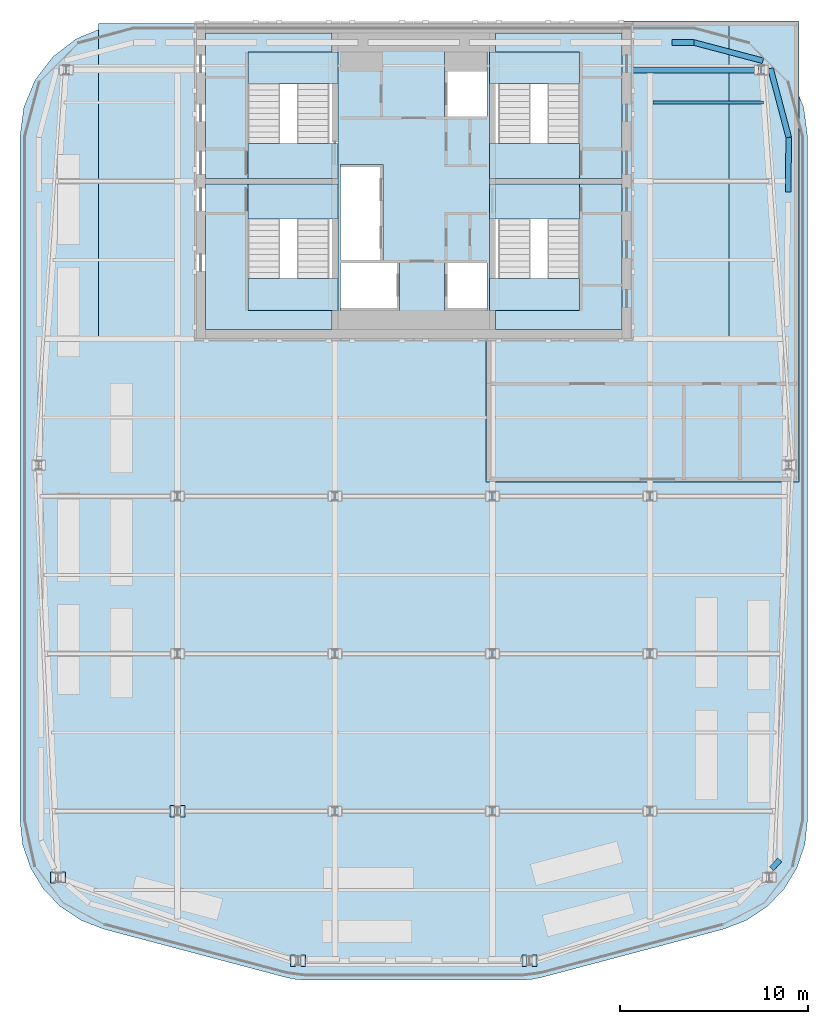
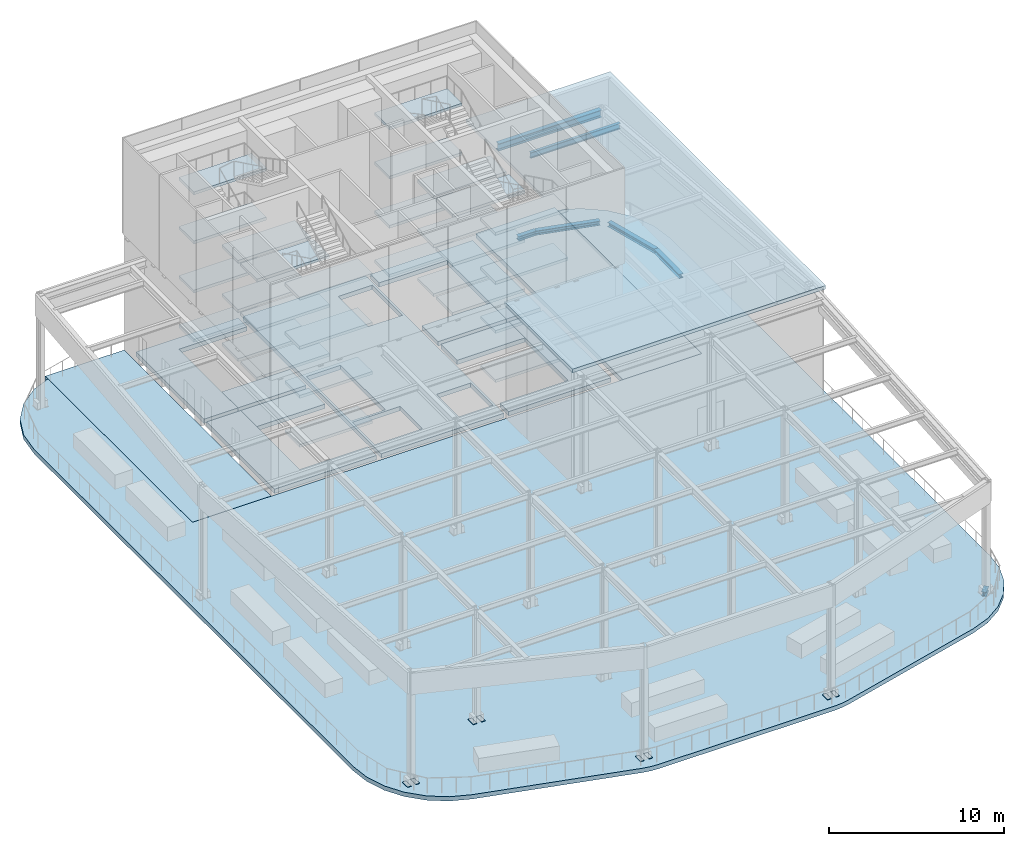
# One storey, part 5 of 14: 41 slabs, 8 plates, 7 beams, 4 elements without a shape of their own.
"""IFC4 building model written with IfcOpenShell, lengths in metres."""

from ifc_helpers import new_model, si_unit, direction, frame, origin, origin_2d, place, context, subcontext, project, spatial, polyline, rectangle, i_section, outline, extrude, material, layer, layer_set, material_profile, profile_set, type_object, element, aggregate, save


model = new_model("IFC4")

# Units and contexts
model_context = context("Model", 3, precision=1e-05, world=origin(), true_north=direction((0.0, 1.0)))
body_context = subcontext(model_context, "Body", "Model", "MODEL_VIEW")
ifc_project = project(units=[si_unit("LENGTHUNIT", "METRE"), si_unit("AREAUNIT", "SQUARE_METRE"), si_unit("VOLUMEUNIT", "CUBIC_METRE"), si_unit("PLANEANGLEUNIT", "RADIAN"), si_unit("MASSUNIT", "GRAM", prefix="KILO")], contexts=[model_context])

# Site, building, storey
site_placement = place(None, origin())
site = spatial("IfcSite", under=ifc_project, at=site_placement, CompositionType="ELEMENT")
building_placement = place(site_placement, origin())
building = spatial("IfcBuilding", under=site, at=building_placement, Name="Marenta Gate Hotel Tower", CompositionType="ELEMENT")
storey_placement = place(building_placement, frame((0.0, 0.0, 295.699951171875)))
storey = spatial("IfcBuildingStorey", under=building, at=storey_placement, Name="L67", CompositionType="ELEMENT", Elevation=295.699951171875)

# Beams
ifc_material_1 = material(Name="Steel S355J2W", Category="steel")
ifc_material_profile_1 = material_profile(ifc_material_1, i_section(OverallWidth=0.300048828125, OverallDepth=0.5, WebThickness=0.014404296875, FlangeThickness=0.028076171875, FilletRadius=0.027099609375, at=origin_2d()), Name="HEB 500")
ifc_profile_set_1 = profile_set([ifc_material_profile_1], Name="Steel S355J2W")
beam_type_1 = type_object("IfcBeamType", Name="Canopy edge beam HEB 500", PredefinedType="BEAM", material=ifc_profile_set_1)
beam_1_placement = place(storey_placement, frame((18.385498046875, 14.33544921875, 7.570068359375), z_axis=(-1.0, 0.0, 0.0), x_axis=(0.0, -1.0, 0.0)))
element("IfcBeam", 1, at=beam_1_placement, inside=storey, type_object=beam_type_1, Name="CB-HEB500 L67-CAN-B5", PredefinedType="BEAM", context=body_context, shape_type="SweptSolid", body=[
    extrude(i_section(OverallWidth=0.300048828125, OverallDepth=0.5, WebThickness=0.014404296875, FlangeThickness=0.028076171875, FilletRadius=0.027099609375, at=origin_2d()), origin(), (0.0, 0.0, 1.0), 6.785400390625),
])
ifc_material_2 = material(Name="Steel S355J2W", Category="steel")
ifc_material_profile_2 = material_profile(ifc_material_2, i_section(OverallWidth=0.179931640625, OverallDepth=0.39990234375, WebThickness=0.008544921875, FlangeThickness=0.013427734375, FilletRadius=0.02099609375, at=origin_2d()), Name="IPE 400")
ifc_profile_set_2 = profile_set([ifc_material_profile_2], Name="Steel S355J2W")
beam_type_2 = type_object("IfcBeamType", Name="Canopy secondary beam IPE 400", PredefinedType="BEAM", material=ifc_profile_set_2)
beam_2_placement = place(storey_placement, frame((12.75, 12.60009765625, 7.6201171875), z_axis=(1.0, 0.0, 0.0), x_axis=(0.0, 1.0, 0.0)))
element("IfcBeam", 2, at=beam_2_placement, inside=storey, type_object=beam_type_2, Name="CB-IPE400 L67-CAN-B66", PredefinedType="BEAM", context=body_context, shape_type="SweptSolid", body=[
    extrude(i_section(OverallWidth=0.179931640625, OverallDepth=0.39990234375, WebThickness=0.008544921875, FlangeThickness=0.013427734375, FilletRadius=0.02099609375, at=origin_2d()), origin(), (0.0, 0.0, 1.0), 5.906005859375),
])
ifc_material_3 = material(Name="Steel S355", Category="steel")
ifc_material_profile_3 = material_profile(ifc_material_3, i_section(OverallWidth=0.300048828125, OverallDepth=0.300048828125, WebThickness=0.010986328125, FlangeThickness=0.01904296875, FilletRadius=0.027099609375, at=origin_2d()), Name="HEB 300")
ifc_profile_set_3 = profile_set([ifc_material_profile_3], Name="Steel S355")
beam_type_3 = type_object("IfcBeamType", Name="Edge beam HEB 300", PredefinedType="SPANDREL", material=ifc_profile_set_3)
beam_3_placement = place(storey_placement, frame((13.766845703125, 15.800048828125, -0.449951171875), z_axis=(1.0, 0.0, 0.0), x_axis=(0.0, 1.0, 0.0)))
element("IfcBeam", 3, at=beam_3_placement, inside=storey, type_object=beam_type_3, Name="L67-EB-19", PredefinedType="SPANDREL", context=body_context, shape_type="SweptSolid", body=[
    extrude(i_section(OverallWidth=0.300048828125, OverallDepth=0.300048828125, WebThickness=0.010986328125, FlangeThickness=0.01904296875, FilletRadius=0.027099609375, at=origin_2d()), origin(), (0.0, 0.0, 1.0), 1.167724609375),
])
beam_4_placement = place(storey_placement, frame((14.9345703125, 15.800048828125, -0.449951171875), z_axis=(0.966756923821, -0.25569718466, 0.0), x_axis=(0.25569718466, 0.966756923821, 0.0)))
element("IfcBeam", 4, at=beam_4_placement, inside=storey, type_object=beam_type_3, Name="L67-EB-20", PredefinedType="SPANDREL", context=body_context, shape_type="SweptSolid", body=[
    extrude(i_section(OverallWidth=0.300048828125, OverallDepth=0.300048828125, WebThickness=0.010986328125, FlangeThickness=0.01904296875, FilletRadius=0.027099609375, at=origin_2d()), origin(), (0.0, 0.0, 1.0), 3.8125),
])
beam_5_placement = place(storey_placement, frame((19.025390625, 14.42041015625, -0.449951171875), z_axis=(0.25562150813, -0.96677693631, 0.0), x_axis=(0.96677693631, 0.25562150813, 0.0)))
element("IfcBeam", 5, at=beam_5_placement, inside=storey, type_object=beam_type_3, Name="L67-EB-21", PredefinedType="SPANDREL", context=body_context, shape_type="SweptSolid", body=[
    extrude(i_section(OverallWidth=0.300048828125, OverallDepth=0.300048828125, WebThickness=0.010986328125, FlangeThickness=0.01904296875, FilletRadius=0.027099609375, at=origin_2d()), origin(), (0.0, 0.0, 1.0), 3.812744140625),
])
beam_6_placement = place(storey_placement, frame((20.0, 10.734375, -0.449951171875), z_axis=(-0.012381915536, -0.999923341146, 0.0), x_axis=(0.999923341146, -0.012381915536, 0.0)))
element("IfcBeam", 6, at=beam_6_placement, inside=storey, type_object=beam_type_3, Name="L67-EB-22", PredefinedType="SPANDREL", context=body_context, shape_type="SweptSolid", body=[
    extrude(i_section(OverallWidth=0.300048828125, OverallDepth=0.300048828125, WebThickness=0.010986328125, FlangeThickness=0.01904296875, FilletRadius=0.027099609375, at=origin_2d()), origin(), (0.0, 0.0, 1.0), 2.918212890625),
])
beam_7_placement = place(storey_placement, frame((19.5244140625, -27.798583984375, -0.449951171875), z_axis=(-0.692516004309, -0.721402511623, 0.0), x_axis=(0.721402511623, -0.692516004309, 0.0)))
element("IfcBeam", 7, at=beam_7_placement, inside=storey, type_object=beam_type_3, Name="L67-EB-27", PredefinedType="SPANDREL", context=body_context, shape_type="SweptSolid", body=[
    extrude(i_section(OverallWidth=0.300048828125, OverallDepth=0.300048828125, WebThickness=0.010986328125, FlangeThickness=0.01904296875, FilletRadius=0.027099609375, at=origin_2d()), origin(), (0.0, 0.0, 1.0), 0.642333984375),
])

# Plates
ifc_material_4 = material(Name="Steel S355J2W", Category="steel")
ifc_layer_1 = layer(ifc_material_4, 0.02490234375)
ifc_layer_set_1 = layer_set([ifc_layer_1], Name="Steel S355J2W")
plate_type = type_object("IfcPlateType", Name="Column base plate 25 mm", PredefinedType="SHEET", material=ifc_layer_set_1)
for number, where, z_axis, x_axis, name in (
    (8, (-6.44140625, -33.1748046875, 0.0), (0.0, 0.0, 1.0), (1.0, 0.0, 0.0), "BP1 Column base plate"),
    (9, (-5.891357421875, -33.1748046875, 0.0), (0.0, 0.0, 1.0), (1.0, 0.0, 0.0), "BP1 Column base plate"),
    (10, (5.891357421875, -33.1748046875, 0.0), (0.0, 0.0, 1.0), (1.0, 0.0, 0.0), "BP1 Column base plate"),
    (11, (6.44140625, -33.1748046875, 0.0), (0.0, 0.0, 1.0), (1.0, 0.0, 0.0), "BP1 Column base plate"),
    (12, (-19.238037109375, -28.73291015625, 0.0), (0.0, 0.0, 1.0), (1.0, 0.0, 0.0), "BP1 Column base plate"),
    (13, (-18.68798828125, -28.73291015625, 0.0), (0.0, 0.0, 1.0), (1.0, 0.0, 0.0), "BP1 Column base plate"),
    (14, (-12.875, -25.199951171875, 0.0), (0.0, 0.0, 1.0), (1.0, 0.0, 0.0), "BP1 Column base plate"),
    (15, (-12.324951171875, -25.199951171875, 0.0), (0.0, 0.0, 1.0), (1.0, 0.0, 0.0), "BP1 Column base plate"),
):
    element("IfcPlate", number, at=place(storey_placement, frame(where, z_axis=z_axis, x_axis=x_axis)), inside=storey, type_object=plate_type, Name=name, PredefinedType="SHEET", context=body_context, shape_type="SweptSolid", body=[
        extrude(rectangle(XDim=0.25, YDim=0.60009765625, at=origin_2d()), origin(), (0.0, 0.0, 1.0), 0.02490234375),
    ])

# Slabs
ifc_material_5 = material(Name="Concrete C40", Category="concrete")
ifc_layer_2 = layer(ifc_material_5, 0.300048828125)
ifc_layer_set_2 = layer_set([ifc_layer_2], Name="Concrete C40")
slab_type_1 = type_object("IfcSlabType", Name="Core floor slab 300", PredefinedType="FLOOR", material=ifc_layer_set_2)
slab_1_placement = place(storey_placement, frame((0.0, 0.0, -0.300048828125)))
element("IfcSlab", 16, at=slab_1_placement, inside=storey, type_object=slab_type_1, Name="L67-CF-1", PredefinedType="FLOOR", context=body_context, shape_type="SweptSolid", body=[
    extrude(outline(polyline([(11.60009765625, 0.0), (11.60009765625, 16.800048828125), (16.800048828125, 16.800048828125), (16.800048828125, 0.0), (11.60009765625, 0.0)])), origin(), (0.0, 0.0, 1.0), 0.300048828125),
])
slab_2_placement = place(storey_placement, frame((0.0, 0.0, -0.300048828125)))
element("IfcSlab", 17, at=slab_2_placement, inside=storey, type_object=slab_type_1, Name="L67-CF-2", PredefinedType="FLOOR", context=body_context, shape_type="SweptSolid", body=[
    extrude(outline(polyline([(8.85009765625, 1.5), (8.85009765625, 6.39990234375), (8.85009765625, 8.10009765625), (8.85009765625, 8.25), (11.10009765625, 8.25), (11.10009765625, 0.5), (4.35009765625, 0.5), (4.35009765625, 1.5), (8.85009765625, 1.5)])), origin(), (0.0, 0.0, 1.0), 0.300048828125),
])
slab_3_placement = place(storey_placement, frame((0.0, 0.0, -0.300048828125)))
element("IfcSlab", 18, at=slab_3_placement, inside=storey, type_object=slab_type_1, Name="L67-CF-3", PredefinedType="FLOOR", context=body_context, shape_type="SweptSolid", body=[
    extrude(outline(polyline([(8.85009765625, 15.300048828125), (4.35009765625, 15.300048828125), (4.35009765625, 16.300048828125), (11.10009765625, 16.300048828125), (11.10009765625, 8.550048828125), (8.85009765625, 8.550048828125), (8.85009765625, 8.699951171875), (8.85009765625, 10.39990234375), (8.85009765625, 15.300048828125)])), origin(), (0.0, 0.0, 1.0), 0.300048828125),
])
slab_4_placement = place(storey_placement, frame((0.0, 0.0, -0.300048828125)))
element("IfcSlab", 19, at=slab_4_placement, inside=storey, type_object=slab_type_1, Name="L67-CF-4", PredefinedType="FLOOR", context=body_context, shape_type="SweptSolid", body=[
    extrude(outline(polyline([(4.050048828125, 15.300048828125), (4.050048828125, 10.39990234375), (4.050048828125, 6.39990234375), (4.050048828125, 1.5), (4.050048828125, 0.5), (-4.050048828125, 0.5), (-4.050048828125, 1.5), (-4.050048828125, 6.39990234375), (-4.050048828125, 10.39990234375), (-4.050048828125, 15.300048828125), (-4.050048828125, 16.300048828125), (4.050048828125, 16.300048828125), (4.050048828125, 15.300048828125)]), holes=[polyline([(1.64990234375, 1.64990234375), (1.64990234375, 1.5), (3.89990234375, 1.5), (3.89990234375, 1.64990234375), (3.89990234375, 4.050048828125), (1.800048828125, 4.050048828125), (1.64990234375, 4.050048828125), (1.64990234375, 1.64990234375)]), polyline([(1.64990234375, 14.25), (1.64990234375, 11.85009765625), (1.800048828125, 11.85009765625), (3.89990234375, 11.85009765625), (3.89990234375, 14.25), (3.89990234375, 15.300048828125), (1.64990234375, 15.300048828125), (1.64990234375, 14.25)]), polyline([(-3.89990234375, 1.5), (-0.89990234375, 1.5), (-0.75, 1.5), (-0.75, 4.050048828125), (-0.89990234375, 4.050048828125), (-3.89990234375, 4.050048828125), (-3.89990234375, 1.64990234375), (-3.89990234375, 1.5)]), polyline([(-1.800048828125, 4.199951171875), (-1.64990234375, 4.199951171875), (-1.64990234375, 9.14990234375), (-1.64990234375, 9.300048828125), (-3.89990234375, 9.300048828125), (-3.89990234375, 9.14990234375), (-3.89990234375, 6.75), (-3.89990234375, 6.60009765625), (-3.89990234375, 4.199951171875), (-1.800048828125, 4.199951171875)])]), origin(), (0.0, 0.0, 1.0), 0.300048828125),
])
slab_5_placement = place(storey_placement, frame((0.0, 0.0, -0.300048828125)))
element("IfcSlab", 20, at=slab_5_placement, inside=storey, type_object=slab_type_1, Name="L67-CF-5", PredefinedType="FLOOR", context=body_context, shape_type="SweptSolid", body=[
    extrude(outline(polyline([(-8.85009765625, 8.25), (-8.85009765625, 8.10009765625), (-8.85009765625, 6.39990234375), (-8.85009765625, 1.5), (-4.35009765625, 1.5), (-4.35009765625, 0.5), (-11.10009765625, 0.5), (-11.10009765625, 8.25), (-8.85009765625, 8.25)])), origin(), (0.0, 0.0, 1.0), 0.300048828125),
])
slab_6_placement = place(storey_placement, frame((0.0, 0.0, -0.300048828125)))
element("IfcSlab", 21, at=slab_6_placement, inside=storey, type_object=slab_type_1, Name="L67-CF-6", PredefinedType="FLOOR", context=body_context, shape_type="SweptSolid", body=[
    extrude(outline(polyline([(-4.35009765625, 15.300048828125), (-8.85009765625, 15.300048828125), (-8.85009765625, 10.39990234375), (-8.85009765625, 8.699951171875), (-8.85009765625, 8.550048828125), (-11.10009765625, 8.550048828125), (-11.10009765625, 16.300048828125), (-4.35009765625, 16.300048828125), (-4.35009765625, 15.300048828125)])), origin(), (0.0, 0.0, 1.0), 0.300048828125),
])
slab_7_placement = place(storey_placement, frame((0.0, 0.0, -0.300048828125)))
element("IfcSlab", 22, at=slab_7_placement, inside=storey, type_object=slab_type_1, Name="L67-CF-7", PredefinedType="FLOOR", context=body_context, shape_type="SweptSolid", body=[
    extrude(outline(polyline([(-11.60009765625, 16.800048828125), (-11.60009765625, 0.0), (-16.800048828125, 0.0), (-16.800048828125, 16.800048828125), (-11.60009765625, 16.800048828125)])), origin(), (0.0, 0.0, 1.0), 0.300048828125),
])

# Stair, slabs
ifc_material_6 = material(Name="Concrete C40", Category="concrete")
stair_type = type_object("IfcStairType", Name="Core exit stair 1700 wide", PredefinedType="HALF_TURN_STAIR", material=ifc_material_6)
stair_1_placement = place(storey_placement, origin())
stair_1 = element("IfcStair", 23, at=stair_1_placement, inside=storey, type_object=stair_type, Name="Exit stair 1", PredefinedType="HALF_TURN_STAIR")
ifc_material_7 = material(Name="Concrete C40", Category="concrete")
ifc_layer_3 = layer(ifc_material_7, 0.199951171875)
ifc_layer_set_3 = layer_set([ifc_layer_3], Name="Concrete C40")
slab_type_2 = type_object("IfcSlabType", Name="Core stair landing 200", PredefinedType="LANDING", material=ifc_layer_set_3)
slab_8_placement = place(storey_placement, frame((0.0, 0.0, 1.512451171875)))
slab_8 = element("IfcSlab", 24, at=slab_8_placement, type_object=slab_type_2, Name="SL-200 ST1 landing 1", PredefinedType="LANDING", context=body_context, shape_type="SweptSolid", body=[
    extrude(outline(polyline([(-8.85009765625, 1.5), (-4.050048828125, 1.5), (-4.050048828125, 3.199951171875), (-8.85009765625, 3.199951171875), (-8.85009765625, 1.5)])), origin(), (0.0, 0.0, 1.0), 0.2001953125),
])
slab_9_placement = place(storey_placement, frame((0.0, 0.0, 3.22509765625)))
slab_9 = element("IfcSlab", 25, at=slab_9_placement, type_object=slab_type_2, Name="SL-200 ST1 landing 2", PredefinedType="LANDING", context=body_context, shape_type="SweptSolid", body=[
    extrude(outline(polyline([(-8.85009765625, 6.39990234375), (-4.050048828125, 6.39990234375), (-4.050048828125, 8.25), (-8.85009765625, 8.25), (-8.85009765625, 6.39990234375)])), origin(), (0.0, 0.0, 1.0), 0.199951171875),
])
slab_10_placement = place(storey_placement, frame((0.0, 0.0, 4.9375)))
slab_10 = element("IfcSlab", 26, at=slab_10_placement, type_object=slab_type_2, Name="SL-200 ST1 landing 3", PredefinedType="LANDING", context=body_context, shape_type="SweptSolid", body=[
    extrude(outline(polyline([(-8.85009765625, 1.5), (-4.050048828125, 1.5), (-4.050048828125, 3.199951171875), (-8.85009765625, 3.199951171875), (-8.85009765625, 1.5)])), origin(), (0.0, 0.0, 1.0), 0.199951171875),
])
slab_11_placement = place(storey_placement, frame((0.0, 0.0, 6.650146484375)))
slab_11 = element("IfcSlab", 27, at=slab_11_placement, type_object=slab_type_2, Name="SL-200 ST1 landing 4", PredefinedType="LANDING", context=body_context, shape_type="SweptSolid", body=[
    extrude(outline(polyline([(-8.85009765625, 6.39990234375), (-4.050048828125, 6.39990234375), (-4.050048828125, 8.25), (-8.85009765625, 8.25), (-8.85009765625, 6.39990234375)])), origin(), (0.0, 0.0, 1.0), 0.199951171875),
])
slab_12_placement = place(storey_placement, frame((0.0, 0.0, 8.362548828125)))
slab_12 = element("IfcSlab", 28, at=slab_12_placement, type_object=slab_type_2, Name="SL-200 ST1 landing 5", PredefinedType="LANDING", context=body_context, shape_type="SweptSolid", body=[
    extrude(outline(polyline([(-8.85009765625, 1.5), (-4.050048828125, 1.5), (-4.050048828125, 3.199951171875), (-8.85009765625, 3.199951171875), (-8.85009765625, 1.5)])), origin(), (0.0, 0.0, 1.0), 0.199951171875),
])
slab_13_placement = place(storey_placement, frame((0.0, 0.0, 10.074951171875)))
slab_13 = element("IfcSlab", 29, at=slab_13_placement, type_object=slab_type_2, Name="SL-200 ST1 landing 6", PredefinedType="LANDING", context=body_context, shape_type="SweptSolid", body=[
    extrude(outline(polyline([(-8.85009765625, 6.39990234375), (-4.050048828125, 6.39990234375), (-4.050048828125, 8.25), (-8.85009765625, 8.25), (-8.85009765625, 6.39990234375)])), origin(), (0.0, 0.0, 1.0), 0.2001953125),
])
slab_14_placement = place(storey_placement, frame((0.0, 0.0, 11.78759765625)))
slab_14 = element("IfcSlab", 30, at=slab_14_placement, type_object=slab_type_2, Name="SL-200 ST1 landing 7", PredefinedType="LANDING", context=body_context, shape_type="SweptSolid", body=[
    extrude(outline(polyline([(-8.85009765625, 1.5), (-4.050048828125, 1.5), (-4.050048828125, 3.199951171875), (-8.85009765625, 3.199951171875), (-8.85009765625, 1.5)])), origin(), (0.0, 0.0, 1.0), 0.199951171875),
])
aggregate(stair_1, [slab_8, slab_9, slab_10, slab_11, slab_12, slab_13, slab_14])

stair_2_placement = place(storey_placement, origin())
stair_2 = element("IfcStair", 31, at=stair_2_placement, inside=storey, type_object=stair_type, Name="Exit stair 2", PredefinedType="HALF_TURN_STAIR")
slab_15_placement = place(storey_placement, frame((0.0, 0.0, 1.512451171875)))
slab_15 = element("IfcSlab", 32, at=slab_15_placement, type_object=slab_type_2, Name="SL-200 ST2 landing 1", PredefinedType="LANDING", context=body_context, shape_type="SweptSolid", body=[
    extrude(outline(polyline([(-8.85009765625, 13.60009765625), (-4.050048828125, 13.60009765625), (-4.050048828125, 15.300048828125), (-8.85009765625, 15.300048828125), (-8.85009765625, 13.60009765625)])), origin(), (0.0, 0.0, 1.0), 0.2001953125),
])
slab_16_placement = place(storey_placement, frame((0.0, 0.0, 3.22509765625)))
slab_16 = element("IfcSlab", 33, at=slab_16_placement, type_object=slab_type_2, Name="SL-200 ST2 landing 2", PredefinedType="LANDING", context=body_context, shape_type="SweptSolid", body=[
    extrude(outline(polyline([(-8.85009765625, 8.550048828125), (-4.050048828125, 8.550048828125), (-4.050048828125, 10.39990234375), (-8.85009765625, 10.39990234375), (-8.85009765625, 8.550048828125)])), origin(), (0.0, 0.0, 1.0), 0.199951171875),
])
slab_17_placement = place(storey_placement, frame((0.0, 0.0, 4.9375)))
slab_17 = element("IfcSlab", 34, at=slab_17_placement, type_object=slab_type_2, Name="SL-200 ST2 landing 3", PredefinedType="LANDING", context=body_context, shape_type="SweptSolid", body=[
    extrude(outline(polyline([(-8.85009765625, 13.60009765625), (-4.050048828125, 13.60009765625), (-4.050048828125, 15.300048828125), (-8.85009765625, 15.300048828125), (-8.85009765625, 13.60009765625)])), origin(), (0.0, 0.0, 1.0), 0.199951171875),
])
slab_18_placement = place(storey_placement, frame((0.0, 0.0, 6.650146484375)))
slab_18 = element("IfcSlab", 35, at=slab_18_placement, type_object=slab_type_2, Name="SL-200 ST2 landing 4", PredefinedType="LANDING", context=body_context, shape_type="SweptSolid", body=[
    extrude(outline(polyline([(-8.85009765625, 8.550048828125), (-4.050048828125, 8.550048828125), (-4.050048828125, 10.39990234375), (-8.85009765625, 10.39990234375), (-8.85009765625, 8.550048828125)])), origin(), (0.0, 0.0, 1.0), 0.199951171875),
])
slab_19_placement = place(storey_placement, frame((0.0, 0.0, 8.362548828125)))
slab_19 = element("IfcSlab", 36, at=slab_19_placement, type_object=slab_type_2, Name="SL-200 ST2 landing 5", PredefinedType="LANDING", context=body_context, shape_type="SweptSolid", body=[
    extrude(outline(polyline([(-8.85009765625, 13.60009765625), (-4.050048828125, 13.60009765625), (-4.050048828125, 15.300048828125), (-8.85009765625, 15.300048828125), (-8.85009765625, 13.60009765625)])), origin(), (0.0, 0.0, 1.0), 0.199951171875),
])
slab_20_placement = place(storey_placement, frame((0.0, 0.0, 10.074951171875)))
slab_20 = element("IfcSlab", 37, at=slab_20_placement, type_object=slab_type_2, Name="SL-200 ST2 landing 6", PredefinedType="LANDING", context=body_context, shape_type="SweptSolid", body=[
    extrude(outline(polyline([(-8.85009765625, 8.550048828125), (-4.050048828125, 8.550048828125), (-4.050048828125, 10.39990234375), (-8.85009765625, 10.39990234375), (-8.85009765625, 8.550048828125)])), origin(), (0.0, 0.0, 1.0), 0.2001953125),
])
slab_21_placement = place(storey_placement, frame((0.0, 0.0, 11.78759765625)))
slab_21 = element("IfcSlab", 38, at=slab_21_placement, type_object=slab_type_2, Name="SL-200 ST2 landing 7", PredefinedType="LANDING", context=body_context, shape_type="SweptSolid", body=[
    extrude(outline(polyline([(-8.85009765625, 13.60009765625), (-4.050048828125, 13.60009765625), (-4.050048828125, 15.300048828125), (-8.85009765625, 15.300048828125), (-8.85009765625, 13.60009765625)])), origin(), (0.0, 0.0, 1.0), 0.199951171875),
])
aggregate(stair_2, [slab_15, slab_16, slab_17, slab_18, slab_19, slab_20, slab_21])

stair_3_placement = place(storey_placement, origin())
stair_3 = element("IfcStair", 39, at=stair_3_placement, inside=storey, type_object=stair_type, Name="Exit stair 3", PredefinedType="HALF_TURN_STAIR")
slab_22_placement = place(storey_placement, frame((0.0, 0.0, 1.512451171875)))
slab_22 = element("IfcSlab", 40, at=slab_22_placement, type_object=slab_type_2, Name="SL-200 ST3 landing 1", PredefinedType="LANDING", context=body_context, shape_type="SweptSolid", body=[
    extrude(outline(polyline([(4.050048828125, 1.5), (8.85009765625, 1.5), (8.85009765625, 3.199951171875), (4.050048828125, 3.199951171875), (4.050048828125, 1.5)])), origin(), (0.0, 0.0, 1.0), 0.2001953125),
])
slab_23_placement = place(storey_placement, frame((0.0, 0.0, 3.22509765625)))
slab_23 = element("IfcSlab", 41, at=slab_23_placement, type_object=slab_type_2, Name="SL-200 ST3 landing 2", PredefinedType="LANDING", context=body_context, shape_type="SweptSolid", body=[
    extrude(outline(polyline([(4.050048828125, 6.39990234375), (8.85009765625, 6.39990234375), (8.85009765625, 8.25), (4.050048828125, 8.25), (4.050048828125, 6.39990234375)])), origin(), (0.0, 0.0, 1.0), 0.199951171875),
])
slab_24_placement = place(storey_placement, frame((0.0, 0.0, 4.9375)))
slab_24 = element("IfcSlab", 42, at=slab_24_placement, type_object=slab_type_2, Name="SL-200 ST3 landing 3", PredefinedType="LANDING", context=body_context, shape_type="SweptSolid", body=[
    extrude(outline(polyline([(4.050048828125, 1.5), (8.85009765625, 1.5), (8.85009765625, 3.199951171875), (4.050048828125, 3.199951171875), (4.050048828125, 1.5)])), origin(), (0.0, 0.0, 1.0), 0.199951171875),
])
slab_25_placement = place(storey_placement, frame((0.0, 0.0, 6.650146484375)))
slab_25 = element("IfcSlab", 43, at=slab_25_placement, type_object=slab_type_2, Name="SL-200 ST3 landing 4", PredefinedType="LANDING", context=body_context, shape_type="SweptSolid", body=[
    extrude(outline(polyline([(4.050048828125, 6.39990234375), (8.85009765625, 6.39990234375), (8.85009765625, 8.25), (4.050048828125, 8.25), (4.050048828125, 6.39990234375)])), origin(), (0.0, 0.0, 1.0), 0.199951171875),
])
slab_26_placement = place(storey_placement, frame((0.0, 0.0, 8.362548828125)))
slab_26 = element("IfcSlab", 44, at=slab_26_placement, type_object=slab_type_2, Name="SL-200 ST3 landing 5", PredefinedType="LANDING", context=body_context, shape_type="SweptSolid", body=[
    extrude(outline(polyline([(4.050048828125, 1.5), (8.85009765625, 1.5), (8.85009765625, 3.199951171875), (4.050048828125, 3.199951171875), (4.050048828125, 1.5)])), origin(), (0.0, 0.0, 1.0), 0.199951171875),
])
slab_27_placement = place(storey_placement, frame((0.0, 0.0, 10.074951171875)))
slab_27 = element("IfcSlab", 45, at=slab_27_placement, type_object=slab_type_2, Name="SL-200 ST3 landing 6", PredefinedType="LANDING", context=body_context, shape_type="SweptSolid", body=[
    extrude(outline(polyline([(4.050048828125, 6.39990234375), (8.85009765625, 6.39990234375), (8.85009765625, 8.25), (4.050048828125, 8.25), (4.050048828125, 6.39990234375)])), origin(), (0.0, 0.0, 1.0), 0.2001953125),
])
slab_28_placement = place(storey_placement, frame((0.0, 0.0, 11.78759765625)))
slab_28 = element("IfcSlab", 46, at=slab_28_placement, type_object=slab_type_2, Name="SL-200 ST3 landing 7", PredefinedType="LANDING", context=body_context, shape_type="SweptSolid", body=[
    extrude(outline(polyline([(4.050048828125, 1.5), (8.85009765625, 1.5), (8.85009765625, 3.199951171875), (4.050048828125, 3.199951171875), (4.050048828125, 1.5)])), origin(), (0.0, 0.0, 1.0), 0.199951171875),
])
aggregate(stair_3, [slab_22, slab_23, slab_24, slab_25, slab_26, slab_27, slab_28])

stair_4_placement = place(storey_placement, origin())
stair_4 = element("IfcStair", 47, at=stair_4_placement, inside=storey, type_object=stair_type, Name="Exit stair 4", PredefinedType="HALF_TURN_STAIR")
slab_29_placement = place(storey_placement, frame((0.0, 0.0, 1.512451171875)))
slab_29 = element("IfcSlab", 48, at=slab_29_placement, type_object=slab_type_2, Name="SL-200 ST4 landing 1", PredefinedType="LANDING", context=body_context, shape_type="SweptSolid", body=[
    extrude(outline(polyline([(4.050048828125, 13.60009765625), (8.85009765625, 13.60009765625), (8.85009765625, 15.300048828125), (4.050048828125, 15.300048828125), (4.050048828125, 13.60009765625)])), origin(), (0.0, 0.0, 1.0), 0.2001953125),
])
slab_30_placement = place(storey_placement, frame((0.0, 0.0, 3.22509765625)))
slab_30 = element("IfcSlab", 49, at=slab_30_placement, type_object=slab_type_2, Name="SL-200 ST4 landing 2", PredefinedType="LANDING", context=body_context, shape_type="SweptSolid", body=[
    extrude(outline(polyline([(4.050048828125, 8.550048828125), (8.85009765625, 8.550048828125), (8.85009765625, 10.39990234375), (4.050048828125, 10.39990234375), (4.050048828125, 8.550048828125)])), origin(), (0.0, 0.0, 1.0), 0.199951171875),
])
slab_31_placement = place(storey_placement, frame((0.0, 0.0, 4.9375)))
slab_31 = element("IfcSlab", 50, at=slab_31_placement, type_object=slab_type_2, Name="SL-200 ST4 landing 3", PredefinedType="LANDING", context=body_context, shape_type="SweptSolid", body=[
    extrude(outline(polyline([(4.050048828125, 13.60009765625), (8.85009765625, 13.60009765625), (8.85009765625, 15.300048828125), (4.050048828125, 15.300048828125), (4.050048828125, 13.60009765625)])), origin(), (0.0, 0.0, 1.0), 0.199951171875),
])
slab_32_placement = place(storey_placement, frame((0.0, 0.0, 6.650146484375)))
slab_32 = element("IfcSlab", 51, at=slab_32_placement, type_object=slab_type_2, Name="SL-200 ST4 landing 4", PredefinedType="LANDING", context=body_context, shape_type="SweptSolid", body=[
    extrude(outline(polyline([(4.050048828125, 8.550048828125), (8.85009765625, 8.550048828125), (8.85009765625, 10.39990234375), (4.050048828125, 10.39990234375), (4.050048828125, 8.550048828125)])), origin(), (0.0, 0.0, 1.0), 0.199951171875),
])
slab_33_placement = place(storey_placement, frame((0.0, 0.0, 8.362548828125)))
slab_33 = element("IfcSlab", 52, at=slab_33_placement, type_object=slab_type_2, Name="SL-200 ST4 landing 5", PredefinedType="LANDING", context=body_context, shape_type="SweptSolid", body=[
    extrude(outline(polyline([(4.050048828125, 13.60009765625), (8.85009765625, 13.60009765625), (8.85009765625, 15.300048828125), (4.050048828125, 15.300048828125), (4.050048828125, 13.60009765625)])), origin(), (0.0, 0.0, 1.0), 0.199951171875),
])
slab_34_placement = place(storey_placement, frame((0.0, 0.0, 10.074951171875)))
slab_34 = element("IfcSlab", 53, at=slab_34_placement, type_object=slab_type_2, Name="SL-200 ST4 landing 6", PredefinedType="LANDING", context=body_context, shape_type="SweptSolid", body=[
    extrude(outline(polyline([(4.050048828125, 8.550048828125), (8.85009765625, 8.550048828125), (8.85009765625, 10.39990234375), (4.050048828125, 10.39990234375), (4.050048828125, 8.550048828125)])), origin(), (0.0, 0.0, 1.0), 0.2001953125),
])
slab_35_placement = place(storey_placement, frame((0.0, 0.0, 11.78759765625)))
slab_35 = element("IfcSlab", 54, at=slab_35_placement, type_object=slab_type_2, Name="SL-200 ST4 landing 7", PredefinedType="LANDING", context=body_context, shape_type="SweptSolid", body=[
    extrude(outline(polyline([(4.050048828125, 13.60009765625), (8.85009765625, 13.60009765625), (8.85009765625, 15.300048828125), (4.050048828125, 15.300048828125), (4.050048828125, 13.60009765625)])), origin(), (0.0, 0.0, 1.0), 0.199951171875),
])
aggregate(stair_4, [slab_29, slab_30, slab_31, slab_32, slab_33, slab_34, slab_35])

# Slabs
ifc_material_8 = material(Name="Concrete C40", Category="concrete")
ifc_layer_4 = layer(ifc_material_8, 0.25)
ifc_layer_set_4 = layer_set([ifc_layer_4], Name="Concrete C40")
slab_type_3 = type_object("IfcSlabType", Name="Pavilion roof slab 250 mm", PredefinedType="ROOF", material=ifc_layer_set_4)
slab_36_placement = place(storey_placement, frame((0.0, 0.0, 7.820068359375)))
element("IfcSlab", 55, at=slab_36_placement, inside=storey, type_object=slab_type_3, Name="L67-SL-PVR", PredefinedType="ROOF", context=body_context, shape_type="SweptSolid", body=[
    extrude(outline(polyline([(3.85009765625, 0.14990234375), (11.050048828125, 0.14990234375), (11.050048828125, 16.949951171875), (20.550048828125, 16.949951171875), (20.550048828125, -7.64990234375), (3.85009765625, -7.64990234375), (3.85009765625, 0.14990234375)])), origin(), (0.0, 0.0, 1.0), 0.25),
])
ifc_material_9 = material(Name="Concrete C40", Category="concrete")
ifc_layer_5 = layer(ifc_material_9, 0.300048828125)
ifc_layer_set_5 = layer_set([ifc_layer_5], Name="Concrete C40")
slab_type_4 = type_object("IfcSlabType", Name="Sky garden slab 300 mm", PredefinedType="FLOOR", material=ifc_layer_set_5)
slab_37_placement = place(storey_placement, frame((0.0, 0.0, -0.300048828125)))
element("IfcSlab", 56, at=slab_37_placement, inside=storey, type_object=slab_type_4, Name="Sky garden slab", PredefinedType="FLOOR", context=body_context, shape_type="SweptSolid", body=[
    extrude(outline(polyline([(18.0, 15.99609375), (19.24267578125, 15.04248046875), (20.1962890625, 13.800048828125), (20.795654296875, 12.352783203125), (21.0, 10.800048828125), (21.0, -25.684326171875), (20.857177734375, -26.9853515625), (20.435791015625, -28.224365234375), (19.755615234375, -29.3427734375), (18.84912109375, -30.286865234375), (17.759521484375, -31.011962890625), (16.53857421875, -31.483642578125), (6.80419921875, -34.066162109375), (6.295654296875, -34.16650390625), (5.7783203125, -34.199951171875), (-5.7783203125, -34.199951171875), (-6.295654296875, -34.16650390625), (-6.80419921875, -34.066162109375), (-16.53857421875, -31.483642578125), (-17.759521484375, -31.011962890625), (-18.84912109375, -30.286865234375), (-19.755615234375, -29.3427734375), (-20.435791015625, -28.224365234375), (-20.857177734375, -26.9853515625), (-21.0, -25.684326171875), (-21.0, 10.800048828125), (-20.795654296875, 12.352783203125), (-20.1962890625, 13.800048828125), (-19.24267578125, 15.04248046875), (-18.0, 15.99609375), (-16.800048828125, 16.4931640625), (-16.800048828125, 0.0), (16.800048828125, 0.0), (16.800048828125, 16.4931640625), (18.0, 15.99609375)])), origin(), (0.0, 0.0, 1.0), 0.300048828125),
])
ifc_material_10 = material(Name="Concrete C40", Category="concrete")
ifc_layer_6 = layer(ifc_material_10, 0.300048828125)
ifc_layer_set_6 = layer_set([ifc_layer_6], Name="Concrete C40")
slab_type_5 = type_object("IfcSlabType", Name="Stair floor landing slab 300", PredefinedType="FLOOR", material=ifc_layer_set_6)
slab_38_placement = place(storey_placement, frame((0.0, 0.0, -0.300048828125)))
element("IfcSlab", 57, at=slab_38_placement, inside=storey, type_object=slab_type_5, Name="L67-CL-ST1-1", PredefinedType="FLOOR", context=body_context, shape_type="SweptSolid", body=[
    extrude(outline(polyline([(-4.35009765625, 6.39990234375), (-8.85009765625, 6.39990234375), (-8.85009765625, 8.10009765625), (-8.85009765625, 8.25), (-4.35009765625, 8.25), (-4.35009765625, 6.39990234375)])), origin(), (0.0, 0.0, 1.0), 0.300048828125),
])
slab_39_placement = place(storey_placement, frame((0.0, 0.0, -0.300048828125)))
element("IfcSlab", 58, at=slab_39_placement, inside=storey, type_object=slab_type_5, Name="L67-CL-ST2-1", PredefinedType="FLOOR", context=body_context, shape_type="SweptSolid", body=[
    extrude(outline(polyline([(-4.35009765625, 8.550048828125), (-8.85009765625, 8.550048828125), (-8.85009765625, 8.699951171875), (-8.85009765625, 10.39990234375), (-4.35009765625, 10.39990234375), (-4.35009765625, 8.550048828125)])), origin(), (0.0, 0.0, 1.0), 0.300048828125),
])
slab_40_placement = place(storey_placement, frame((0.0, 0.0, -0.300048828125)))
element("IfcSlab", 59, at=slab_40_placement, inside=storey, type_object=slab_type_5, Name="L67-CL-ST3-1", PredefinedType="FLOOR", context=body_context, shape_type="SweptSolid", body=[
    extrude(outline(polyline([(4.35009765625, 6.39990234375), (4.35009765625, 8.25), (8.85009765625, 8.25), (8.85009765625, 8.10009765625), (8.85009765625, 6.39990234375), (4.35009765625, 6.39990234375)])), origin(), (0.0, 0.0, 1.0), 0.300048828125),
])
slab_41_placement = place(storey_placement, frame((0.0, 0.0, -0.300048828125)))
element("IfcSlab", 60, at=slab_41_placement, inside=storey, type_object=slab_type_5, Name="L67-CL-ST4-1", PredefinedType="FLOOR", context=body_context, shape_type="SweptSolid", body=[
    extrude(outline(polyline([(4.35009765625, 8.550048828125), (4.35009765625, 10.39990234375), (8.85009765625, 10.39990234375), (8.85009765625, 8.699951171875), (8.85009765625, 8.550048828125), (4.35009765625, 8.550048828125)])), origin(), (0.0, 0.0, 1.0), 0.300048828125),
])

save(model, "model.ifc")
